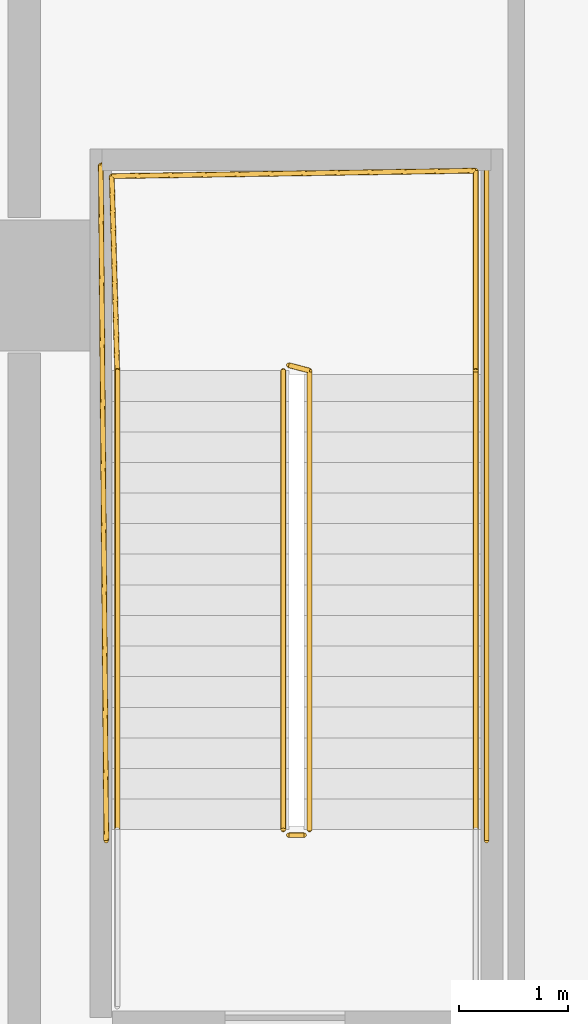
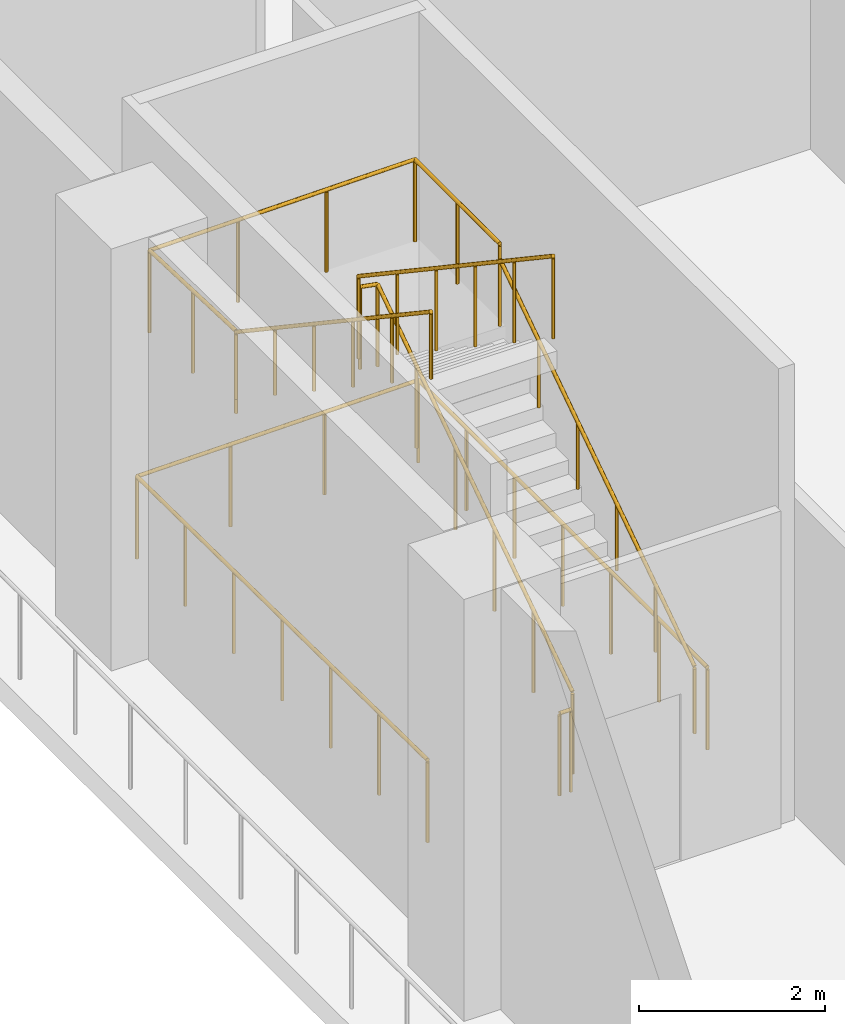
# One storey, part 18 of 27: 7 railings.
"""IFC4 building model written with IfcOpenShell, lengths in metres."""

from ifc_helpers import new_model, si_unit, direction, frame, origin, origin_2d, place, context, subcontext, project, spatial, circle, extrude, material, layer, layer_set, type_object, element, save


model = new_model("IFC4")

# Units and contexts
model_context = context("Model", 3, precision=1e-05, world=origin(), true_north=direction((0.0, 1.0)))
body_context = subcontext(model_context, "Body", "Model", "MODEL_VIEW")
ifc_project = project(units=[si_unit("LENGTHUNIT", "METRE"), si_unit("AREAUNIT", "SQUARE_METRE"), si_unit("VOLUMEUNIT", "CUBIC_METRE"), si_unit("PLANEANGLEUNIT", "RADIAN"), si_unit("MASSUNIT", "GRAM", prefix="KILO")], contexts=[model_context])

# Site, building, storey
site_placement = place(None, origin())
site = spatial("IfcSite", under=ifc_project, at=site_placement, CompositionType="ELEMENT")
building_placement = place(site_placement, origin())
building = spatial("IfcBuilding", under=site, at=building_placement, Name="Ndaravel Arena Tower", CompositionType="ELEMENT")
storey_placement = place(building_placement, frame((0.0, 0.0, 24.0)))
storey = spatial("IfcBuildingStorey", under=building, at=storey_placement, Name="L04", CompositionType="ELEMENT", Elevation=24.0)

# Railings
ifc_material_1 = material(Name="Steel S355", Category="steel")
ifc_layer_1 = layer(ifc_material_1, 0.06005859375)
ifc_layer_set_1 = layer_set([ifc_layer_1], Name="Steel S355")
railing_type_1 = type_object("IfcRailingType", Name="RAIL-STAIR-GD1100", PredefinedType="GUARDRAIL", material=ifc_layer_set_1)
railing_1_placement = place(storey_placement, frame((4.31005859375, 22.820068359375, 0.1875)))
element("IfcRailing", 1, at=railing_1_placement, inside=storey, type_object=railing_type_1, Name="L04 ST-A07 stair guard 1", PredefinedType="GUARDRAIL", context=body_context, shape_type="SweptSolid", body=[
    extrude(circle(Radius=0.02392578125, at=origin_2d()), frame((0.0, 0.0, 1.076171875), z_axis=(0.0, 0.830904186295, 0.556415522067), x_axis=(-1.0, 0.0, 0.0)), (0.0, 0.0, 1.0), 5.0546875),
    extrude(circle(Radius=0.02392578125, at=origin_2d()), frame((0.0, 4.199951171875, 3.888671875), z_axis=(-0.966993988697, 0.254799187253, 0.0), x_axis=(-0.254799187253, -0.966993988697, 0.0)), (0.0, 0.0, 1.0), 0.196533203125),
    extrude(circle(Radius=0.02099609375, at=origin_2d()), origin(), (0.0, 0.0, 1.0), 1.052001953125),
    extrude(circle(Radius=0.02099609375, at=origin_2d()), frame((0.0, 0.840087890625, 0.5625)), (0.0, 0.0, 1.0), 1.052001953125),
    extrude(circle(Radius=0.02099609375, at=origin_2d()), frame((0.0, 1.679931640625, 1.125)), (0.0, 0.0, 1.0), 1.052001953125),
    extrude(circle(Radius=0.02099609375, at=origin_2d()), frame((0.0, 2.52001953125, 1.6875)), (0.0, 0.0, 1.0), 1.052001953125),
    extrude(circle(Radius=0.02099609375, at=origin_2d()), frame((0.0, 3.35986328125, 2.25)), (0.0, 0.0, 1.0), 1.052001953125),
    extrude(circle(Radius=0.02099609375, at=origin_2d()), frame((0.0, 4.199951171875, 2.8125)), (0.0, 0.0, 1.0), 1.052001953125),
    extrude(circle(Radius=0.02099609375, at=origin_2d()), frame((-0.18994140625, 4.25, 2.8125)), (0.0, 0.0, 1.0), 1.052001953125),
])
railing_2_placement = place(storey_placement, frame((5.830078125, 27.02001953125, 3.0)))
element("IfcRailing", 2, at=railing_2_placement, inside=storey, type_object=railing_type_1, Name="L04 ST-A07 stair guard 2", PredefinedType="GUARDRAIL", context=body_context, shape_type="SweptSolid", body=[
    extrude(circle(Radius=0.02392578125, at=origin_2d()), frame((0.0, 0.0, 1.076171875), z_axis=(0.0, 1.0, 0.0), x_axis=(-1.0, 0.0, 0.0)), (0.0, 0.0, 1.0), 1.830078125),
    extrude(circle(Radius=0.02392578125, at=origin_2d()), frame((0.0, 1.830078125, 1.076171875), z_axis=(-0.999887078817, -0.015027628384, 0.0), x_axis=(0.015027628384, -0.999887078817, 0.0)), (0.0, 0.0, 1.0), 3.33056640625),
    extrude(circle(Radius=0.02392578125, at=origin_2d()), frame((-3.330078125, 1.780029296875, 1.076171875), z_axis=(0.028105748986, -0.999604955407, 0.0), x_axis=(0.999604955407, 0.028105748986, 0.0)), (0.0, 0.0, 1.0), 1.78076171875),
    extrude(circle(Radius=0.02099609375, at=origin_2d()), origin(), (0.0, 0.0, 1.0), 1.052001953125),
    extrude(circle(Radius=0.02099609375, at=origin_2d()), frame((0.0, 0.9150390625, 0.0)), (0.0, 0.0, 1.0), 1.052001953125),
    extrude(circle(Radius=0.02099609375, at=origin_2d()), frame((0.0, 1.830078125, 0.0)), (0.0, 0.0, 1.0), 1.052001953125),
    extrude(circle(Radius=0.02099609375, at=origin_2d()), frame((-1.110107421875, 1.8134765625, 0.0)), (0.0, 0.0, 1.0), 1.052001953125),
    extrude(circle(Radius=0.02099609375, at=origin_2d()), frame((-2.219970703125, 1.796630859375, 0.0)), (0.0, 0.0, 1.0), 1.052001953125),
    extrude(circle(Radius=0.02099609375, at=origin_2d()), frame((-3.330078125, 1.780029296875, 0.0)), (0.0, 0.0, 1.0), 1.052001953125),
    extrude(circle(Radius=0.02099609375, at=origin_2d()), frame((-3.30517578125, 0.89013671875, 0.0)), (0.0, 0.0, 1.0), 1.052001953125),
    extrude(circle(Radius=0.02099609375, at=origin_2d()), frame((-3.280029296875, 0.0, 0.0)), (0.0, 0.0, 1.0), 1.052001953125),
])
railing_3_placement = place(storey_placement, frame((4.070068359375, 27.02001953125, 3.1875)))
element("IfcRailing", 3, at=railing_3_placement, inside=storey, type_object=railing_type_1, Name="L04 ST-A07 stair guard 3", PredefinedType="GUARDRAIL", context=body_context, shape_type="SweptSolid", body=[
    extrude(circle(Radius=0.02392578125, at=origin_2d()), frame((0.0, 0.0, 1.076171875), z_axis=(0.0, -0.830904186295, 0.556415522067), x_axis=(1.0, 0.0, 0.0)), (0.0, 0.0, 1.0), 5.0546875),
    extrude(circle(Radius=0.02099609375, at=origin_2d()), origin(), (0.0, 0.0, 1.0), 1.052001953125),
    extrude(circle(Radius=0.02099609375, at=origin_2d()), frame((0.0, -0.840087890625, 0.5625)), (0.0, 0.0, 1.0), 1.052001953125),
    extrude(circle(Radius=0.02099609375, at=origin_2d()), frame((0.0, -1.679931640625, 1.125)), (0.0, 0.0, 1.0), 1.052001953125),
    extrude(circle(Radius=0.02099609375, at=origin_2d()), frame((0.0, -2.52001953125, 1.6875)), (0.0, 0.0, 1.0), 1.052001953125),
    extrude(circle(Radius=0.02099609375, at=origin_2d()), frame((0.0, -3.35986328125, 2.25)), (0.0, 0.0, 1.0), 1.052001953125),
    extrude(circle(Radius=0.02099609375, at=origin_2d()), frame((0.0, -4.199951171875, 2.8125)), (0.0, 0.0, 1.0), 1.052001953125),
])
railing_4_placement = place(storey_placement, frame((4.260009765625, 22.77001953125, 0.0)))
element("IfcRailing", 4, at=railing_4_placement, inside=storey, type_object=railing_type_1, Name="L04 ST-A07 stair guard 4", PredefinedType="GUARDRAIL", context=body_context, shape_type="SweptSolid", body=[
    extrude(circle(Radius=0.02392578125, at=origin_2d()), frame((0.0, 0.0, 1.076171875), z_axis=(-1.0, 0.0, 0.0), x_axis=(0.0, -1.0, 0.0)), (0.0, 0.0, 1.0), 0.139892578125),
    extrude(circle(Radius=0.02099609375, at=origin_2d()), origin(), (0.0, 0.0, 1.0), 1.052001953125),
    extrude(circle(Radius=0.02099609375, at=origin_2d()), frame((-0.139892578125, 0.0, 0.0)), (0.0, 0.0, 1.0), 1.052001953125),
])
railing_5_placement = place(storey_placement, frame((5.929931640625, 22.719970703125, 0.0)))
element("IfcRailing", 5, at=railing_5_placement, inside=storey, type_object=railing_type_1, Name="L04 ST-A07 stair guard 7", PredefinedType="GUARDRAIL", context=body_context, shape_type="SweptSolid", body=[
    extrude(circle(Radius=0.02392578125, at=origin_2d()), frame((0.0, 0.0, 1.076171875), z_axis=(0.0, 1.0, 0.0), x_axis=(-1.0, 0.0, 0.0)), (0.0, 0.0, 1.0), 6.22998046875),
    extrude(circle(Radius=0.02392578125, at=origin_2d()), frame((0.0, 6.22998046875, 1.076171875), z_axis=(-0.999899507016, -0.014176595818, 0.0), x_axis=(0.014176595818, -0.999899507016, 0.0)), (0.0, 0.0, 1.0), 3.5302734375),
    extrude(circle(Radius=0.02392578125, at=origin_2d()), frame((-3.530029296875, 6.179931640625, 1.076171875), z_axis=(0.008098339889, -0.999967207908, 0.0), x_axis=(0.999967207908, 0.008098339889, 0.0)), (0.0, 0.0, 1.0), 6.18017578125),
    extrude(circle(Radius=0.02099609375, at=origin_2d()), origin(), (0.0, 0.0, 1.0), 1.052001953125),
    extrude(circle(Radius=0.02099609375, at=origin_2d()), frame((0.0, 1.038330078125, 0.0)), (0.0, 0.0, 1.0), 1.052001953125),
    extrude(circle(Radius=0.02099609375, at=origin_2d()), frame((0.0, 2.07666015625, 0.0)), (0.0, 0.0, 1.0), 1.052001953125),
    extrude(circle(Radius=0.02099609375, at=origin_2d()), frame((0.0, 3.114990234375, 0.0)), (0.0, 0.0, 1.0), 1.052001953125),
    extrude(circle(Radius=0.02099609375, at=origin_2d()), frame((0.0, 4.1533203125, 0.0)), (0.0, 0.0, 1.0), 1.052001953125),
    extrude(circle(Radius=0.02099609375, at=origin_2d()), frame((0.0, 5.191650390625, 0.0)), (0.0, 0.0, 1.0), 1.052001953125),
    extrude(circle(Radius=0.02099609375, at=origin_2d()), frame((0.0, 6.22998046875, 0.0)), (0.0, 0.0, 1.0), 1.052001953125),
    extrude(circle(Radius=0.02099609375, at=origin_2d()), frame((-1.1767578125, 6.21337890625, 0.0)), (0.0, 0.0, 1.0), 1.052001953125),
    extrude(circle(Radius=0.02099609375, at=origin_2d()), frame((-2.353271484375, 6.196533203125, 0.0)), (0.0, 0.0, 1.0), 1.052001953125),
    extrude(circle(Radius=0.02099609375, at=origin_2d()), frame((-3.530029296875, 6.179931640625, 0.0)), (0.0, 0.0, 1.0), 1.052001953125),
    extrude(circle(Radius=0.02099609375, at=origin_2d()), frame((-3.521728515625, 5.14990234375, 0.0)), (0.0, 0.0, 1.0), 1.052001953125),
    extrude(circle(Radius=0.02099609375, at=origin_2d()), frame((-3.513427734375, 4.119873046875, 0.0)), (0.0, 0.0, 1.0), 1.052001953125),
    extrude(circle(Radius=0.02099609375, at=origin_2d()), frame((-3.5048828125, 3.08984375, 0.0)), (0.0, 0.0, 1.0), 1.052001953125),
    extrude(circle(Radius=0.02099609375, at=origin_2d()), frame((-3.49658203125, 2.06005859375, 0.0)), (0.0, 0.0, 1.0), 1.052001953125),
    extrude(circle(Radius=0.02099609375, at=origin_2d()), frame((-3.48828125, 1.030029296875, 0.0)), (0.0, 0.0, 1.0), 1.052001953125),
    extrude(circle(Radius=0.02099609375, at=origin_2d()), frame((-3.47998046875, 0.0, 0.0)), (0.0, 0.0, 1.0), 1.052001953125),
])
ifc_material_2 = material(Name="Steel S355", Category="steel")
ifc_layer_2 = layer(ifc_material_2, 0.050048828125)
ifc_layer_set_2 = layer_set([ifc_layer_2], Name="Steel S355")
railing_type_2 = type_object("IfcRailingType", Name="RAIL-STAIR-HR920", PredefinedType="HANDRAIL", material=ifc_layer_set_2)
railing_6_placement = place(storey_placement, frame((5.830078125, 22.820068359375, 0.1875)))
element("IfcRailing", 6, at=railing_6_placement, inside=storey, type_object=railing_type_2, Name="L04 ST-A07 stair handrail 1", PredefinedType="HANDRAIL", context=body_context, shape_type="SweptSolid", body=[
    extrude(circle(Radius=0.02392578125, at=origin_2d()), frame((0.0, 0.0, 0.8759765625), z_axis=(0.0, 0.830904186295, 0.556415522067), x_axis=(-1.0, 0.0, 0.0)), (0.0, 0.0, 1.0), 5.0546875),
    extrude(circle(Radius=0.02099609375, at=origin_2d()), origin(), (0.0, 0.0, 1.0), 0.851806640625),
    extrude(circle(Radius=0.02099609375, at=origin_2d()), frame((0.0, 0.840087890625, 0.5625)), (0.0, 0.0, 1.0), 0.851806640625),
    extrude(circle(Radius=0.02099609375, at=origin_2d()), frame((0.0, 1.679931640625, 1.125)), (0.0, 0.0, 1.0), 0.851806640625),
    extrude(circle(Radius=0.02099609375, at=origin_2d()), frame((0.0, 2.52001953125, 1.6875)), (0.0, 0.0, 1.0), 0.851806640625),
    extrude(circle(Radius=0.02099609375, at=origin_2d()), frame((0.0, 3.35986328125, 2.25)), (0.0, 0.0, 1.0), 0.851806640625),
    extrude(circle(Radius=0.02099609375, at=origin_2d()), frame((0.0, 4.199951171875, 2.8125)), (0.0, 0.0, 1.0), 0.851806640625),
])
railing_7_placement = place(storey_placement, frame((2.550048828125, 27.02001953125, 3.1875)))
element("IfcRailing", 7, at=railing_7_placement, inside=storey, type_object=railing_type_2, Name="L04 ST-A07 stair handrail 2", PredefinedType="HANDRAIL", context=body_context, shape_type="SweptSolid", body=[
    extrude(circle(Radius=0.02392578125, at=origin_2d()), frame((0.0, 0.0, 0.8759765625), z_axis=(0.0, -0.830904186295, 0.556415522067), x_axis=(1.0, 0.0, 0.0)), (0.0, 0.0, 1.0), 5.0546875),
    extrude(circle(Radius=0.02099609375, at=origin_2d()), origin(), (0.0, 0.0, 1.0), 0.851806640625),
    extrude(circle(Radius=0.02099609375, at=origin_2d()), frame((0.0, -0.840087890625, 0.5625)), (0.0, 0.0, 1.0), 0.851806640625),
    extrude(circle(Radius=0.02099609375, at=origin_2d()), frame((0.0, -1.679931640625, 1.125)), (0.0, 0.0, 1.0), 0.851806640625),
    extrude(circle(Radius=0.02099609375, at=origin_2d()), frame((0.0, -2.52001953125, 1.6875)), (0.0, 0.0, 1.0), 0.851806640625),
    extrude(circle(Radius=0.02099609375, at=origin_2d()), frame((0.0, -3.35986328125, 2.25)), (0.0, 0.0, 1.0), 0.851806640625),
    extrude(circle(Radius=0.02099609375, at=origin_2d()), frame((0.0, -4.199951171875, 2.8125)), (0.0, 0.0, 1.0), 0.851806640625),
])

save(model, "model.ifc")
